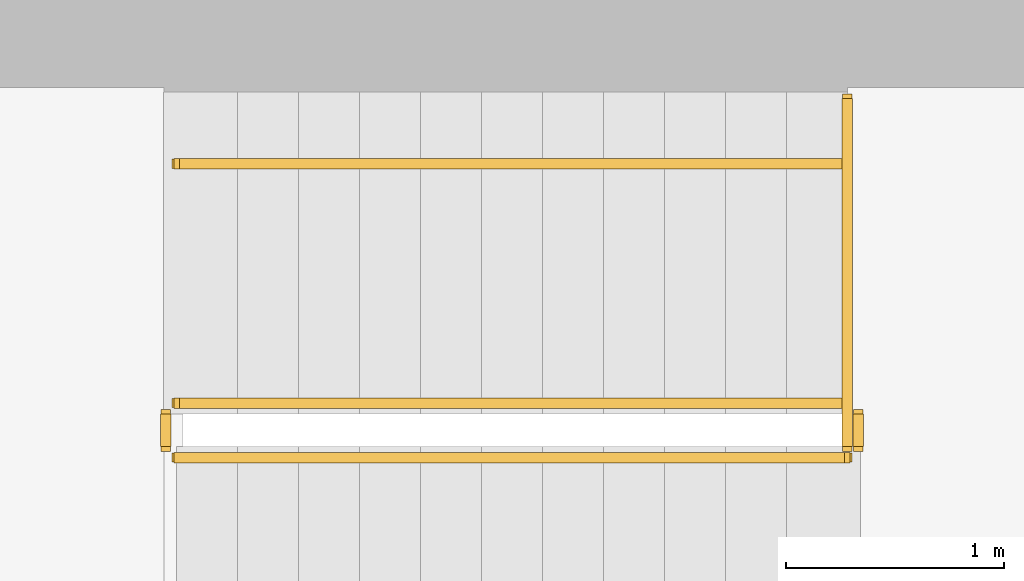
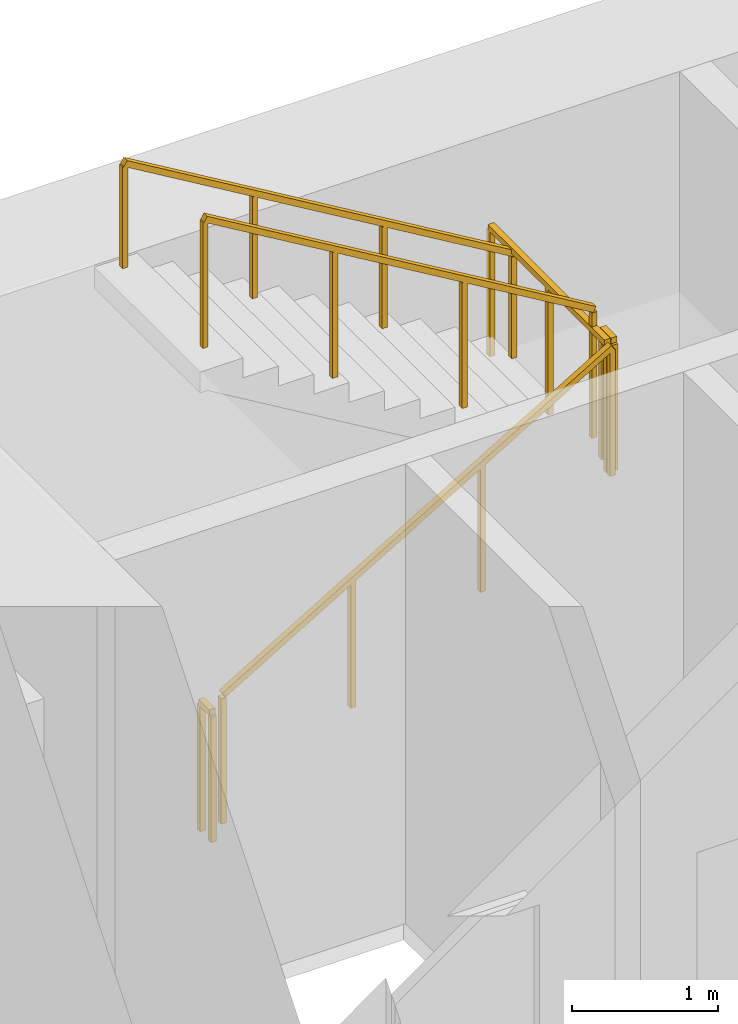
# One storey, part 16 of 17: 6 railings.
"""IFC4 building model written with IfcOpenShell, lengths in metres."""

from ifc_helpers import new_model, si_unit, direction, frame, origin, origin_2d, place, context, subcontext, project, spatial, rectangle, extrude, material, type_object, element, save


model = new_model("IFC4")

# Units and contexts
model_context = context("Model", 3, precision=1e-05, world=origin(), true_north=direction((0.0, 1.0)))
body_context = subcontext(model_context, "Body", "Model", "MODEL_VIEW")
ifc_project = project(units=[si_unit("LENGTHUNIT", "METRE"), si_unit("AREAUNIT", "SQUARE_METRE"), si_unit("VOLUMEUNIT", "CUBIC_METRE"), si_unit("PLANEANGLEUNIT", "RADIAN"), si_unit("MASSUNIT", "GRAM", prefix="KILO")], contexts=[model_context])

# Site, building, storey
site_placement = place(None, origin())
site = spatial("IfcSite", under=ifc_project, at=site_placement, CompositionType="ELEMENT")
building_placement = place(site_placement, origin())
building = spatial("IfcBuilding", under=site, at=building_placement, Name="Sennacour Bend Tower", CompositionType="ELEMENT")
storey_placement = place(building_placement, frame((0.0, 0.0, 215.0)))
storey = spatial("IfcBuildingStorey", under=building, at=storey_placement, Name="L49", CompositionType="ELEMENT", Elevation=215.0)

# Railings
ifc_material = material(Name="Stainless steel", Category="steel")
railing_type_1 = type_object("IfcRailingType", Name="RL-GUARD-1100", PredefinedType="GUARDRAIL", material=ifc_material)
railing_1_placement = place(storey_placement, frame((56.699951171875, 19.85009765625, 0.166748046875)))
element("IfcRailing", 1, at=railing_1_placement, inside=storey, type_object=railing_type_1, Name="L49 SA2 stair guard 1", PredefinedType="GUARDRAIL", context=body_context, shape_type="SweptSolid", body=[
    extrude(rectangle(XDim=0.048095703125, YDim=0.048095703125, at=origin_2d()), frame((0.0, 0.0, 1.076171875), z_axis=(0.859308565015, 0.0, 0.511457515432), x_axis=(0.0, 1.0, 0.0)), (0.0, 0.0, 1.0), 3.58447265625),
    extrude(rectangle(XDim=0.0419921875, YDim=0.0419921875, at=origin_2d()), origin(), (0.0, 0.0, 1.0), 1.052001953125),
    extrude(rectangle(XDim=0.0419921875, YDim=0.0419921875, at=origin_2d()), frame((1.026611328125, 0.0, 0.611083984375)), (0.0, 0.0, 1.0), 1.052001953125),
    extrude(rectangle(XDim=0.0419921875, YDim=0.0419921875, at=origin_2d()), frame((2.053466796875, 0.0, 1.22216796875)), (0.0, 0.0, 1.0), 1.052001953125),
    extrude(rectangle(XDim=0.0419921875, YDim=0.0419921875, at=origin_2d()), frame((3.080078125, 0.0, 1.833251953125)), (0.0, 0.0, 1.0), 1.052001953125),
])
railing_2_placement = place(storey_placement, frame((59.830078125, 19.89990234375, 2.0)))
element("IfcRailing", 2, at=railing_2_placement, inside=storey, type_object=railing_type_1, Name="L49 SA2 stair guard 2", PredefinedType="GUARDRAIL", context=body_context, shape_type="SweptSolid", body=[
    extrude(rectangle(XDim=0.048095703125, YDim=0.048095703125, at=origin_2d()), frame((0.0, 0.0, 1.076171875), z_axis=(0.0, 1.0, 0.0), x_axis=(-1.0, 0.0, 0.0)), (0.0, 0.0, 1.0), 0.150146484375),
    extrude(rectangle(XDim=0.0419921875, YDim=0.0419921875, at=origin_2d()), origin(), (0.0, 0.0, 1.0), 1.052001953125),
    extrude(rectangle(XDim=0.0419921875, YDim=0.0419921875, at=origin_2d()), frame((0.0, 0.150146484375, 0.0)), (0.0, 0.0, 1.0), 1.052001953125),
])
railing_3_placement = place(storey_placement, frame((59.780029296875, 20.10009765625, 2.166748046875)))
element("IfcRailing", 3, at=railing_3_placement, inside=storey, type_object=railing_type_1, Name="L49 SA2 stair guard 4", PredefinedType="GUARDRAIL", context=body_context, shape_type="SweptSolid", body=[
    extrude(rectangle(XDim=0.048095703125, YDim=0.048095703125, at=origin_2d()), frame((0.0, 0.0, 1.076171875), z_axis=(-0.859308565015, 0.0, 0.511457515432), x_axis=(0.0, -1.0, 0.0)), (0.0, 0.0, 1.0), 3.58447265625),
    extrude(rectangle(XDim=0.0419921875, YDim=0.0419921875, at=origin_2d()), origin(), (0.0, 0.0, 1.0), 1.052001953125),
    extrude(rectangle(XDim=0.0419921875, YDim=0.0419921875, at=origin_2d()), frame((-1.026611328125, 0.0, 0.611083984375)), (0.0, 0.0, 1.0), 1.052001953125),
    extrude(rectangle(XDim=0.0419921875, YDim=0.0419921875, at=origin_2d()), frame((-2.053466796875, 0.0, 1.22216796875)), (0.0, 0.0, 1.0), 1.052001953125),
    extrude(rectangle(XDim=0.0419921875, YDim=0.0419921875, at=origin_2d()), frame((-3.080078125, 0.0, 1.833251953125)), (0.0, 0.0, 1.0), 1.052001953125),
])
railing_4_placement = place(storey_placement, frame((56.64990234375, 19.89990234375, 0.0)))
element("IfcRailing", 4, at=railing_4_placement, inside=storey, type_object=railing_type_1, Name="L49 SA2 stair guard 5", PredefinedType="GUARDRAIL", context=body_context, shape_type="SweptSolid", body=[
    extrude(rectangle(XDim=0.048095703125, YDim=0.048095703125, at=origin_2d()), frame((0.0, 0.0, 1.076171875), z_axis=(0.0, 1.0, 0.0), x_axis=(-1.0, 0.0, 0.0)), (0.0, 0.0, 1.0), 0.150146484375),
    extrude(rectangle(XDim=0.0419921875, YDim=0.0419921875, at=origin_2d()), origin(), (0.0, 0.0, 1.0), 1.052001953125),
    extrude(rectangle(XDim=0.0419921875, YDim=0.0419921875, at=origin_2d()), frame((0.0, 0.150146484375, 0.0)), (0.0, 0.0, 1.0), 1.052001953125),
])
railing_5_placement = place(storey_placement, frame((59.780029296875, 19.89990234375, 2.0)))
element("IfcRailing", 5, at=railing_5_placement, inside=storey, type_object=railing_type_1, Name="L49 SA2 landing edge guard 66", PredefinedType="GUARDRAIL", context=body_context, shape_type="SweptSolid", body=[
    extrude(rectangle(XDim=0.048095703125, YDim=0.048095703125, at=origin_2d()), frame((0.0, 0.0, 1.076171875), z_axis=(0.0, 1.0, 0.0), x_axis=(-1.0, 0.0, 0.0)), (0.0, 0.0, 1.0), 1.60009765625),
    extrude(rectangle(XDim=0.0419921875, YDim=0.0419921875, at=origin_2d()), origin(), (0.0, 0.0, 1.0), 1.052001953125),
    extrude(rectangle(XDim=0.0419921875, YDim=0.0419921875, at=origin_2d()), frame((0.0, 0.800048828125, 0.0)), (0.0, 0.0, 1.0), 1.052001953125),
    extrude(rectangle(XDim=0.0419921875, YDim=0.0419921875, at=origin_2d()), frame((0.0, 1.60009765625, 0.0)), (0.0, 0.0, 1.0), 1.052001953125),
])
railing_type_2 = type_object("IfcRailingType", Name="RL-HANDRAIL-900", PredefinedType="HANDRAIL", material=ifc_material)
railing_6_placement = place(storey_placement, frame((59.780029296875, 21.199951171875, 2.166748046875)))
element("IfcRailing", 6, at=railing_6_placement, inside=storey, type_object=railing_type_2, Name="L49 SA2 stair handrail 2", PredefinedType="HANDRAIL", context=body_context, shape_type="SweptSolid", body=[
    extrude(rectangle(XDim=0.048095703125, YDim=0.048095703125, at=origin_2d()), frame((0.0, 0.0, 0.8759765625), z_axis=(-0.859308565015, 0.0, 0.511457515432), x_axis=(0.0, -1.0, 0.0)), (0.0, 0.0, 1.0), 3.58447265625),
    extrude(rectangle(XDim=0.0419921875, YDim=0.0419921875, at=origin_2d()), origin(), (0.0, 0.0, 1.0), 0.851806640625),
    extrude(rectangle(XDim=0.0419921875, YDim=0.0419921875, at=origin_2d()), frame((-1.026611328125, 0.0, 0.611083984375)), (0.0, 0.0, 1.0), 0.851806640625),
    extrude(rectangle(XDim=0.0419921875, YDim=0.0419921875, at=origin_2d()), frame((-2.053466796875, 0.0, 1.22216796875)), (0.0, 0.0, 1.0), 0.851806640625),
    extrude(rectangle(XDim=0.0419921875, YDim=0.0419921875, at=origin_2d()), frame((-3.080078125, 0.0, 1.833251953125)), (0.0, 0.0, 1.0), 0.851806640625),
])

save(model, "model.ifc")
